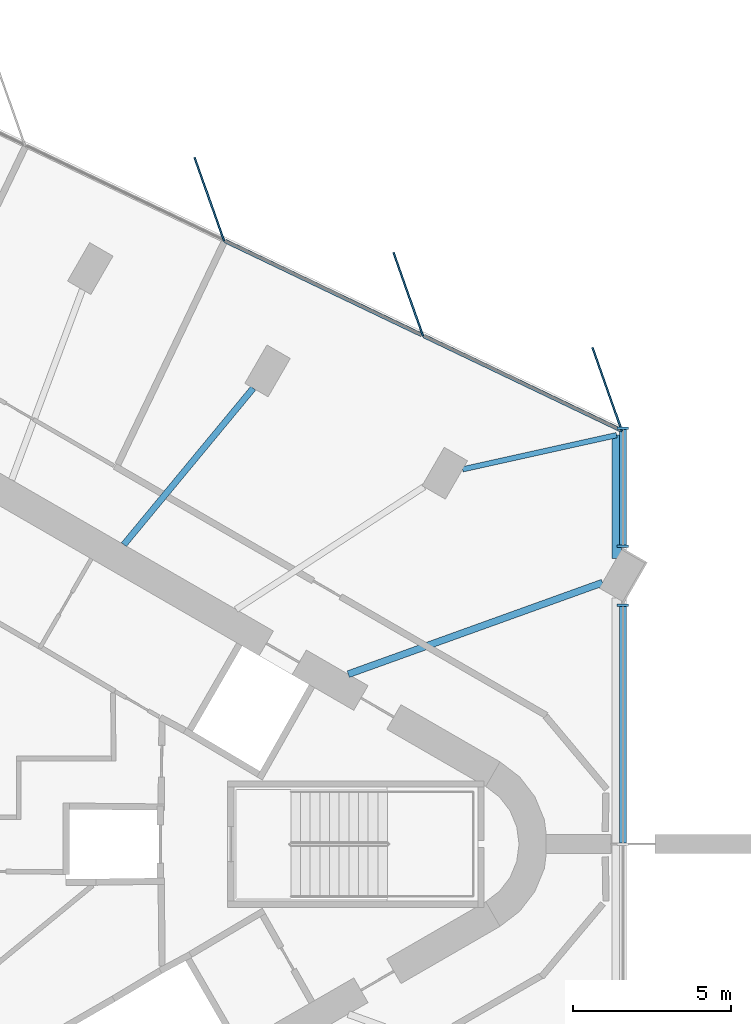
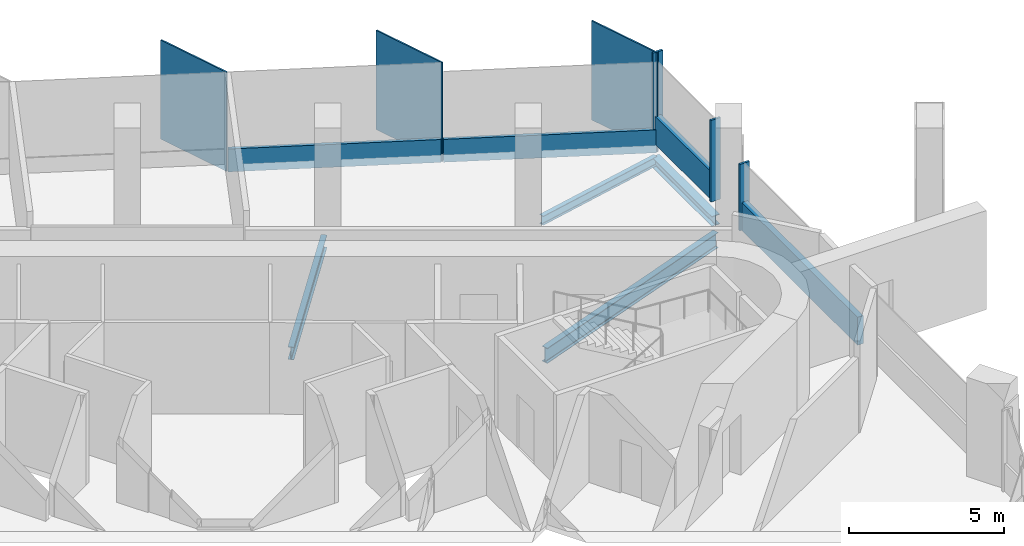
# One storey, part 5 of 12: 10 members, 4 beams, 3 elements without a shape of their own.
"""IFC4 building model written with IfcOpenShell, lengths in metres."""

import ifcopenshell
import ifcopenshell.guid

model = None  # the IFC model being written
_history = None  # IfcOwnerHistory: only IFC2X3 demands one
_inside = {}  # id of a spatial element -> (the spatial element, [elements in it])
_under = {}  # id of a project, library or spatial element -> (it, [spatial elements below it])
_declared = {}  # id of a project -> (the project, [libraries it declares])
_typed = {}  # id of a type object -> (the type object, [elements of that type])
_made_of = {}  # id of a material, layer set ... -> (it, [elements and type objects made of it])


def new_model(schema):
    """Start an empty IFC model of exactly this schema.

    Asked for "IFC4X3", IfcOpenShell would pick the latest addendum, in which some entities
    have other attributes; the version numbers below select the first issue.
    IFC2X3 requires an IfcOwnerHistory on every rooted entity: one is made here for all.
    """
    global model, _history
    if schema == "IFC4X3":
        model = ifcopenshell.file(schema_version=(4, 3, 0, 0))
    else:
        model = ifcopenshell.file(schema=schema)
    _inside.clear()
    _under.clear()
    _declared.clear()
    _typed.clear()
    _made_of.clear()
    _history = None
    if model.schema == "IFC2X3":
        org = make("IfcOrganization", Name="unknown")
        user = make(
            "IfcPersonAndOrganization",
            ThePerson=make("IfcPerson", FamilyName="unknown"),
            TheOrganization=org,
        )
        app = make(
            "IfcApplication",
            ApplicationDeveloper=org,
            Version="unknown",
            ApplicationFullName="unknown",
            ApplicationIdentifier="unknown",
        )
        _history = make(
            "IfcOwnerHistory",
            OwningUser=user,
            OwningApplication=app,
            ChangeAction="ADDED",
            CreationDate=0,
        )
    return model


def make(cls, **values):
    """One entity of the class cls with the attributes given. An attribute that is None is left unset."""
    return model.create_entity(
        cls, **{name: value for name, value in values.items() if value is not None}
    )


def rooted(cls, **values):
    """An entity with a GlobalId (a new one), such as an element, a storey or a relation."""
    return make(cls, GlobalId=ifcopenshell.guid.new(), OwnerHistory=_history, **values)


def si_unit(unit_type, name, prefix=None):
    """IfcSIUnit, for example si_unit("LENGTHUNIT", "METRE", prefix="MILLI")."""
    return make("IfcSIUnit", UnitType=unit_type, Prefix=prefix, Name=name)


def assignment(units):
    """IfcUnitAssignment: the units of a project."""
    return None if units is None else make("IfcUnitAssignment", Units=units)


def point(xyz):
    """IfcCartesianPoint."""
    return None if xyz is None else make("IfcCartesianPoint", Coordinates=xyz)


def direction(xyz):
    """IfcDirection."""
    return None if xyz is None else make("IfcDirection", DirectionRatios=xyz)


def frame(location, z_axis=None, x_axis=None):
    """IfcAxis2Placement3D, a coordinate frame: its origin and axes. An axis left out is left unset."""
    return make(
        "IfcAxis2Placement3D",
        Location=point(location),
        Axis=direction(z_axis),
        RefDirection=direction(x_axis),
    )


def frame_2d(location, x_axis=None):
    """IfcAxis2Placement2D, a coordinate frame in the plane: its origin and x axis."""
    return make(
        "IfcAxis2Placement2D", Location=point(location), RefDirection=direction(x_axis)
    )


def origin():
    """The frame at (0, 0, 0) with its axes left unset."""
    return frame((0.0, 0.0, 0.0))


def origin_2d():
    """The frame at (0, 0) in the plane with its x axis left unset."""
    return frame_2d((0.0, 0.0))


def place(relative_to, where):
    """IfcLocalPlacement: puts the frame where relative to a parent placement (None: the world)."""
    return make(
        "IfcLocalPlacement", PlacementRelTo=relative_to, RelativePlacement=where
    )


def context(
    kind, dimensions, precision=None, world=None, true_north=None, identifier=None
):
    """IfcGeometricRepresentationContext, for example the 3D "Model" context."""
    return make(
        "IfcGeometricRepresentationContext",
        ContextIdentifier=identifier,
        ContextType=kind,
        CoordinateSpaceDimension=dimensions,
        Precision=precision,
        WorldCoordinateSystem=world,
        TrueNorth=true_north,
    )


def subcontext(parent, identifier, kind, view, scale=None):
    """IfcGeometricRepresentationSubContext, for example "Body" below "Model"."""
    return make(
        "IfcGeometricRepresentationSubContext",
        ContextIdentifier=identifier,
        ContextType=kind,
        ParentContext=parent,
        TargetScale=scale,
        TargetView=view,
    )


def project(units=None, contexts=None):
    """IfcProject with its units and contexts."""
    return rooted(
        "IfcProject",
        Name="project",
        RepresentationContexts=contexts,
        UnitsInContext=assignment(units),
    )


def spatial(cls, under=None, at=None, **own):
    """A site, building, storey or space (cls), placed at a placement, below another one or the project."""
    s = rooted(cls, ObjectPlacement=at, **own)
    if under is not None:
        _under.setdefault(under.id(), (under, []))[1].append(s)
    return s


def profile(cls, at=None, kind="AREA", **sizes):
    """A parametric profile (cls). Its sizes go by their IFC names, for example OverallWidth=200.0."""
    return make(cls, ProfileType=kind, Position=at, **sizes)


def rectangle(**sizes):
    """IfcRectangleProfileDef."""
    return profile("IfcRectangleProfileDef", **sizes)


def i_section(**sizes):
    """IfcIShapeProfileDef."""
    return profile("IfcIShapeProfileDef", **sizes)


def extrude(swept, where, along, depth):
    """IfcExtrudedAreaSolid: the profile swept, set in the frame where, extruded along a direction by depth."""
    return make(
        "IfcExtrudedAreaSolid",
        SweptArea=swept,
        Position=where,
        ExtrudedDirection=direction(along),
        Depth=depth,
    )


def shape(context_of_items, identifier, shape_type, items):
    """IfcShapeRepresentation: the items that make up one representation, for example the "Body"."""
    return make(
        "IfcShapeRepresentation",
        ContextOfItems=context_of_items,
        RepresentationIdentifier=identifier,
        RepresentationType=shape_type,
        Items=items,
    )


def material(Name=None, Category=None):
    """IfcMaterial."""
    return make("IfcMaterial", Name=Name, Category=Category)


def material_profile(
    of_material, cross_section, Name=None, Category=None, Priority=None
):
    """IfcMaterialProfile: a cross section and its material."""
    return make(
        "IfcMaterialProfile",
        Name=Name,
        Material=of_material,
        Profile=cross_section,
        Priority=Priority,
        Category=Category,
    )


def profile_set(profiles, Name=None, composite=None):
    """IfcMaterialProfileSet."""
    return make(
        "IfcMaterialProfileSet",
        Name=Name,
        MaterialProfiles=profiles,
        CompositeProfile=composite,
    )


def made_of(thing, what):
    """Note that an element or type object is made of a material, layer set ...; save() writes the relation."""
    if what is not None:
        _made_of.setdefault(what.id(), (what, []))[1].append(thing)
    return thing


def type_object(cls, material=None, **own):
    """A type object (cls), such as IfcWallType, which elements share."""
    return made_of(rooted(cls, **own), material)


def element(
    cls,
    number,
    at=None,
    inside=None,
    cuts=None,
    type_object=None,
    material=None,
    context=None,
    identifier="Body",
    shape_type=None,
    held_by="IfcProductDefinitionShape",
    body=None,
    shapes=None,
    **own,
):
    """One element of the class cls, such as IfcWall. Its Tag is "e" and its number.

    at: its placement. inside: the storey or other place that contains it. cuts: it is an
    opening in that element (IfcRelVoidsElement). A single representation is given by context,
    identifier, shape_type and body (its items); several are given by shapes. held_by: the class
    of the entity that holds the representations. save() writes the other relations.
    """
    e = rooted(cls, Tag="e%d" % number, ObjectPlacement=at, **own)
    if body is not None:
        shapes = [shape(context, identifier, shape_type, body)]
    if shapes is not None:
        e.Representation = make(held_by, Representations=shapes)
    if inside is not None:
        _inside.setdefault(inside.id(), (inside, []))[1].append(e)
    if cuts is not None:
        rooted(
            "IfcRelVoidsElement", RelatingBuildingElement=cuts, RelatedOpeningElement=e
        )
    if type_object is not None:
        _typed.setdefault(type_object.id(), (type_object, []))[1].append(e)
    return made_of(e, material)


def aggregate(whole, parts):
    """IfcRelAggregates: a whole, such as a stair, and the parts it consists of."""
    return rooted("IfcRelAggregates", RelatingObject=whole, RelatedObjects=parts)


def save(model, path):
    """Write the relations noted so far, then the file.

    IfcRelAggregates (storeys below a building ...), IfcRelContainedInSpatialStructure (elements
    in a storey), IfcRelDefinesByType, IfcRelAssociatesMaterial and IfcRelDeclares: one each for
    every whole, place, type object, material and project.
    """
    for whole, parts in _under.values():
        aggregate(whole, parts)
    for where, things in _inside.values():
        rooted(
            "IfcRelContainedInSpatialStructure",
            RelatedElements=things,
            RelatingStructure=where,
        )
    for kind, things in _typed.values():
        rooted("IfcRelDefinesByType", RelatedObjects=things, RelatingType=kind)
    for what, things in _made_of.values():
        rooted("IfcRelAssociatesMaterial", RelatedObjects=things, RelatingMaterial=what)
    for by, libraries in _declared.values():
        rooted("IfcRelDeclares", RelatingContext=by, RelatedDefinitions=libraries)
    model.write(path)


model = new_model("IFC4")

# Units and contexts
model_context = context("Model", 3, precision=1e-05, world=origin(), true_north=direction((0.0, 1.0)))
body_context = subcontext(model_context, "Body", "Model", "MODEL_VIEW")
ifc_project = project(units=[si_unit("LENGTHUNIT", "METRE"), si_unit("AREAUNIT", "SQUARE_METRE"), si_unit("VOLUMEUNIT", "CUBIC_METRE"), si_unit("PLANEANGLEUNIT", "RADIAN"), si_unit("MASSUNIT", "GRAM", prefix="KILO")], contexts=[model_context])

# Site, building, storey
site_placement = place(None, origin())
site = spatial("IfcSite", under=ifc_project, at=site_placement, CompositionType="ELEMENT")
building_placement = place(site_placement, origin())
building = spatial("IfcBuilding", under=site, at=building_placement, Name="Tanit Gate Tower", CompositionType="ELEMENT")
storey_placement = place(building_placement, frame((0.0, 0.0, 372.800048828125)))
storey = spatial("IfcBuildingStorey", under=building, at=storey_placement, Name="L85", CompositionType="ELEMENT", Elevation=372.800048828125)

# Beam
ifc_material_1 = material(Name="Steel S355", Category="steel")
ifc_material_profile_1 = material_profile(ifc_material_1, i_section(OverallWidth=0.300048828125, OverallDepth=0.389892578125, WebThickness=0.010986328125, FlangeThickness=0.01904296875, FilletRadius=0.027099609375, at=origin_2d()), Name="HEA 400")
ifc_profile_set_1 = profile_set([ifc_material_profile_1], Name="Steel S355")
beam_type_1 = type_object("IfcBeamType", Name="EDGE BEAM HEA 400 S355", PredefinedType="BEAM", material=ifc_profile_set_1)
beam_1_placement = place(storey_placement, frame((23.3798828125, 12.913818359375, -0.4951171875), z_axis=(0.0, -1.0, 0.0), x_axis=(1.0, 0.0, 0.0)))
element("IfcBeam", 1, at=beam_1_placement, inside=storey, type_object=beam_type_1, Name="EDGE BEAM", PredefinedType="BEAM", context=body_context, shape_type="SweptSolid", body=[
    extrude(i_section(OverallWidth=0.300048828125, OverallDepth=0.389892578125, WebThickness=0.010986328125, FlangeThickness=0.01904296875, FilletRadius=0.027099609375, at=origin_2d()), origin(), (0.0, 0.0, 1.0), 3.891845703125),
])

# Curtain wall, members
ifc_material_2 = material(Name="Aluminium bronze anodised and glass", Category="aluminium")
curtain_wall_type_1 = type_object("IfcCurtainWallType", Name="Curtain wall typical high", PredefinedType="NOTDEFINED", material=ifc_material_2)
curtain_wall_1_placement = place(storey_placement, origin())
curtain_wall_1 = element("IfcCurtainWall", 2, at=curtain_wall_1_placement, inside=storey, type_object=curtain_wall_type_1, Name="Curtain wall L85 NE2c", PredefinedType="NOTDEFINED")
ifc_material_3 = material(Name="Aluminium bronze anodised", Category="aluminium")
ifc_material_profile_2 = material_profile(ifc_material_3, rectangle(XDim=2.800048828125, YDim=0.055908203125, at=origin_2d()), Name="56x2800 bronze fin mullion")
ifc_profile_set_2 = profile_set([ifc_material_profile_2], Name="Aluminium bronze anodised")
member_type_1 = type_object("IfcMemberType", Name="FIN MULLION 56x2800 bronze", PredefinedType="MULLION", material=ifc_profile_set_2)
member_1_placement = place(storey_placement, frame((23.084716796875, 14.3583984375, -0.300048828125), z_axis=(0.0, 0.0, 1.0), x_axis=(0.333090099539, -0.94289500242, 0.0)))
member_1 = element("IfcMember", 3, at=member_1_placement, type_object=member_type_1, Name="Fin mullion L85 NE2c.1", PredefinedType="MULLION", context=body_context, shape_type="SweptSolid", body=[
    extrude(rectangle(XDim=2.800048828125, YDim=0.055908203125, at=origin_2d()), origin(), (0.0, 0.0, 1.0), 3.89990234375),
])
member_2_placement = place(storey_placement, frame((16.802490234375, 17.36083984375, -0.300048828125), z_axis=(0.0, 0.0, 1.0), x_axis=(0.333090099539, -0.94289500242, 0.0)))
member_2 = element("IfcMember", 4, at=member_2_placement, type_object=member_type_1, Name="Fin mullion L85 NE2c.2", PredefinedType="MULLION", context=body_context, shape_type="SweptSolid", body=[
    extrude(rectangle(XDim=2.800048828125, YDim=0.055908203125, at=origin_2d()), origin(), (0.0, 0.0, 1.0), 3.89990234375),
])
member_3_placement = place(storey_placement, frame((10.52001953125, 20.363037109375, -0.300048828125), z_axis=(0.0, 0.0, 1.0), x_axis=(0.333090099539, -0.94289500242, 0.0)))
member_3 = element("IfcMember", 5, at=member_3_placement, type_object=member_type_1, Name="Fin mullion L85 NE2c.3", PredefinedType="MULLION", context=body_context, shape_type="SweptSolid", body=[
    extrude(rectangle(XDim=2.800048828125, YDim=0.055908203125, at=origin_2d()), origin(), (0.0, 0.0, 1.0), 3.89990234375),
])

ifc_material_4 = material(Name="Aluminium bronze anodised and glass", Category="aluminium")
curtain_wall_type_2 = type_object("IfcCurtainWallType", Name="Curtain wall portal glazing", PredefinedType="NOTDEFINED", material=ifc_material_4)
curtain_wall_2_placement = place(storey_placement, origin())
curtain_wall_2 = element("IfcCurtainWall", 6, at=curtain_wall_2_placement, inside=storey, type_object=curtain_wall_type_2, Name="Curtain wall L85 NOTCH1", PredefinedType="NOTDEFINED")
ifc_material_5 = material(Name="Aluminium bronze anodised", Category="aluminium")
ifc_material_profile_3 = material_profile(ifc_material_5, rectangle(XDim=0.360107421875, YDim=0.080078125, at=origin_2d()), Name="80x360 bronze mullion")
ifc_profile_set_3 = profile_set([ifc_material_profile_3], Name="Aluminium bronze anodised")
member_type_2 = type_object("IfcMemberType", Name="Mullion 80x360 portal glazing", PredefinedType="MULLION", material=ifc_profile_set_3)
member_4_placement = place(storey_placement, frame((23.580078125, 13.13232421875, 0.0), z_axis=(0.0, 0.0, 1.0), x_axis=(1.0, 0.0, 0.0)))
member_4 = element("IfcMember", 7, at=member_4_placement, type_object=member_type_2, Name="Mullion L85 NOTCH1.1", PredefinedType="MULLION", context=body_context, shape_type="SweptSolid", body=[
    extrude(rectangle(XDim=0.360107421875, YDim=0.080078125, at=origin_2d()), origin(), (0.0, 0.0, 1.0), 3.599853515625),
])
member_5_placement = place(storey_placement, frame((23.580078125, 9.404541015625, 0.0), z_axis=(0.0, 0.0, 1.0), x_axis=(1.0, 0.0, 0.0)))
member_5 = element("IfcMember", 8, at=member_5_placement, type_object=member_type_2, Name="Mullion L85 NOTCH1.2", PredefinedType="MULLION", context=body_context, shape_type="SweptSolid", body=[
    extrude(rectangle(XDim=0.360107421875, YDim=0.080078125, at=origin_2d()), origin(), (0.0, 0.0, 1.0), 3.2099609375),
])

# Curtain wall, member
curtain_wall_3_placement = place(storey_placement, origin())
curtain_wall_3 = element("IfcCurtainWall", 9, at=curtain_wall_3_placement, inside=storey, type_object=curtain_wall_type_2, Name="Curtain wall L85 NOTCH2", PredefinedType="NOTDEFINED")
member_6_placement = place(storey_placement, frame((23.580078125, 7.540283203125, 0.0), z_axis=(0.0, 0.0, 1.0), x_axis=(1.0, 0.0, 0.0)))
member_6 = element("IfcMember", 10, at=member_6_placement, type_object=member_type_2, Name="Mullion L85 NOTCH2.1", PredefinedType="MULLION", context=body_context, shape_type="SweptSolid", body=[
    extrude(rectangle(XDim=0.360107421875, YDim=0.080078125, at=origin_2d()), origin(), (0.0, 0.0, 1.0), 2.60986328125),
])

# Beams
ifc_material_6 = material(Name="Steel S355", Category="steel")
ifc_material_profile_4 = material_profile(ifc_material_6, i_section(OverallWidth=0.199951171875, OverallDepth=0.5, WebThickness=0.01025390625, FlangeThickness=0.01611328125, FilletRadius=0.02099609375, at=origin_2d()), Name="IPE 500")
ifc_profile_set_4 = profile_set([ifc_material_profile_4], Name="Steel S355")
beam_type_2 = type_object("IfcBeamType", Name="RADIAL GIRDER IPE 500 S355", PredefinedType="BEAM", material=ifc_profile_set_4)
beam_2_placement = place(storey_placement, frame((11.906494140625, 14.395263671875, -0.550048828125), z_axis=(-0.637361830259, -0.770564661355, 0.0), x_axis=(0.770564661355, -0.637361830259, 0.0)))
element("IfcBeam", 11, at=beam_2_placement, inside=storey, type_object=beam_type_2, Name="RADIAL GIRDER", PredefinedType="BEAM", context=body_context, shape_type="SweptSolid", body=[
    extrude(i_section(OverallWidth=0.199951171875, OverallDepth=0.5, WebThickness=0.01025390625, FlangeThickness=0.01611328125, FilletRadius=0.02099609375, at=origin_2d()), origin(), (0.0, 0.0, 1.0), 6.40771484375),
])
ifc_material_7 = material(Name="Steel S355", Category="steel")
ifc_material_profile_5 = material_profile(ifc_material_7, i_section(OverallWidth=0.219970703125, OverallDepth=0.60009765625, WebThickness=0.011962890625, FlangeThickness=0.01904296875, FilletRadius=0.02392578125, at=origin_2d()), Name="IPE 600")
ifc_profile_set_5 = profile_set([ifc_material_profile_5], Name="Steel S355")
beam_type_3 = type_object("IfcBeamType", Name="RADIAL GIRDER IPE 600 S355", PredefinedType="BEAM", material=ifc_profile_set_5)
beam_3_placement = place(storey_placement, frame((22.935302734375, 8.255615234375, -0.60009765625), z_axis=(-0.940899815791, -0.338685010952, 0.0), x_axis=(0.338685010952, -0.940899815791, 0.0)))
element("IfcBeam", 12, at=beam_3_placement, inside=storey, type_object=beam_type_3, Name="RADIAL GIRDER", PredefinedType="BEAM", context=body_context, shape_type="SweptSolid", body=[
    extrude(i_section(OverallWidth=0.219970703125, OverallDepth=0.60009765625, WebThickness=0.011962890625, FlangeThickness=0.01904296875, FilletRadius=0.02392578125, at=origin_2d()), origin(), (0.0, 0.0, 1.0), 8.530517578125),
])
ifc_material_8 = material(Name="Steel S355", Category="steel")
ifc_material_profile_6 = material_profile(ifc_material_8, i_section(OverallWidth=0.169921875, OverallDepth=0.360107421875, WebThickness=0.008056640625, FlangeThickness=0.0126953125, FilletRadius=0.01806640625, at=origin_2d()), Name="IPE 360")
ifc_profile_set_6 = profile_set([ifc_material_profile_6], Name="Steel S355")
beam_type_4 = type_object("IfcBeamType", Name="RING BEAM IPE 360 S355", PredefinedType="BEAM", material=ifc_profile_set_6)
beam_4_placement = place(storey_placement, frame((23.3798828125, 12.913818359375, -0.47998046875), z_axis=(-0.9762470252, -0.216660438908, 0.0), x_axis=(0.216660438908, -0.9762470252, 0.0)))
element("IfcBeam", 13, at=beam_4_placement, inside=storey, type_object=beam_type_4, Name="RING BEAM", PredefinedType="BEAM", context=body_context, shape_type="SweptSolid", body=[
    extrude(i_section(OverallWidth=0.169921875, OverallDepth=0.360107421875, WebThickness=0.008056640625, FlangeThickness=0.0126953125, FilletRadius=0.01806640625, at=origin_2d()), origin(), (0.0, 0.0, 1.0), 4.978271484375),
])

# Member
ifc_material_9 = material(Name="Aluminium bronze anodised", Category="aluminium")
ifc_material_profile_7 = material_profile(ifc_material_9, rectangle(XDim=0.1201171875, YDim=0.89990234375, at=origin_2d()), Name="120x900 bronze transom")
ifc_profile_set_7 = profile_set([ifc_material_profile_7], Name="Aluminium bronze anodised")
member_type_3 = type_object("IfcMemberType", Name="Transom 120x900 typical high", PredefinedType="USERDEFINED", material=ifc_profile_set_7)
member_7_placement = place(storey_placement, frame((23.50830078125, 13.07421875, 0.14990234375), z_axis=(-0.90226563926, 0.431180607416, 0.0), x_axis=(-0.431180607416, -0.90226563926, 0.0)))
member_7 = element("IfcMember", 14, at=member_7_placement, type_object=member_type_3, Name="Transom L85 NE2c.1", ObjectType="TRANSOM", PredefinedType="USERDEFINED", context=body_context, shape_type="SweptSolid", body=[
    extrude(rectangle(XDim=0.1201171875, YDim=0.89990234375, at=origin_2d()), origin(), (0.0, 0.0, 1.0), 6.8828125),
])

member_8_placement = place(storey_placement, frame((17.22607421875, 16.07666015625, 0.14990234375), z_axis=(-0.90226563926, 0.431180607416, 0.0), x_axis=(-0.431180607416, -0.90226563926, 0.0)))
member_8 = element("IfcMember", 15, at=member_8_placement, type_object=member_type_3, Name="Transom L85 NE2c.2", ObjectType="TRANSOM", PredefinedType="USERDEFINED", context=body_context, shape_type="SweptSolid", body=[
    extrude(rectangle(XDim=0.1201171875, YDim=0.89990234375, at=origin_2d()), origin(), (0.0, 0.0, 1.0), 6.8828125),
])

aggregate(curtain_wall_1, [member_1, member_2, member_3, member_7, member_8])

ifc_material_10 = material(Name="Aluminium bronze anodised", Category="aluminium")
ifc_material_profile_8 = material_profile(ifc_material_10, rectangle(XDim=0.219970703125, YDim=1.10009765625, at=origin_2d()), Name="220x1100 bronze transom")
ifc_profile_set_8 = profile_set([ifc_material_profile_8], Name="Aluminium bronze anodised")
member_type_4 = type_object("IfcMemberType", Name="Transom 220x1100 portal glazing", PredefinedType="USERDEFINED", material=ifc_profile_set_8)
member_9_placement = place(storey_placement, frame((23.580078125, 13.09228515625, 0.550048828125), z_axis=(0.0, -1.0, 0.0), x_axis=(1.0, 0.0, 0.0)))
member_9 = element("IfcMember", 16, at=member_9_placement, type_object=member_type_4, Name="Transom L85 NOTCH1.1", ObjectType="TRANSOM", PredefinedType="USERDEFINED", context=body_context, shape_type="SweptSolid", body=[
    extrude(rectangle(XDim=0.219970703125, YDim=1.10009765625, at=origin_2d()), origin(), (0.0, 0.0, 1.0), 3.647705078125),
])

aggregate(curtain_wall_2, [member_4, member_5, member_9])

member_10_placement = place(storey_placement, frame((23.580078125, 7.500244140625, 0.550048828125), z_axis=(0.0, -1.0, 0.0), x_axis=(1.0, 0.0, 0.0)))
member_10 = element("IfcMember", 17, at=member_10_placement, type_object=member_type_4, Name="Transom L85 NOTCH2.1", ObjectType="TRANSOM", PredefinedType="USERDEFINED", context=body_context, shape_type="SweptSolid", body=[
    extrude(rectangle(XDim=0.219970703125, YDim=1.10009765625, at=origin_2d()), origin(), (0.0, 0.0, 1.0), 7.460205078125),
])

aggregate(curtain_wall_3, [member_6, member_10])

save(model, "model.ifc")
